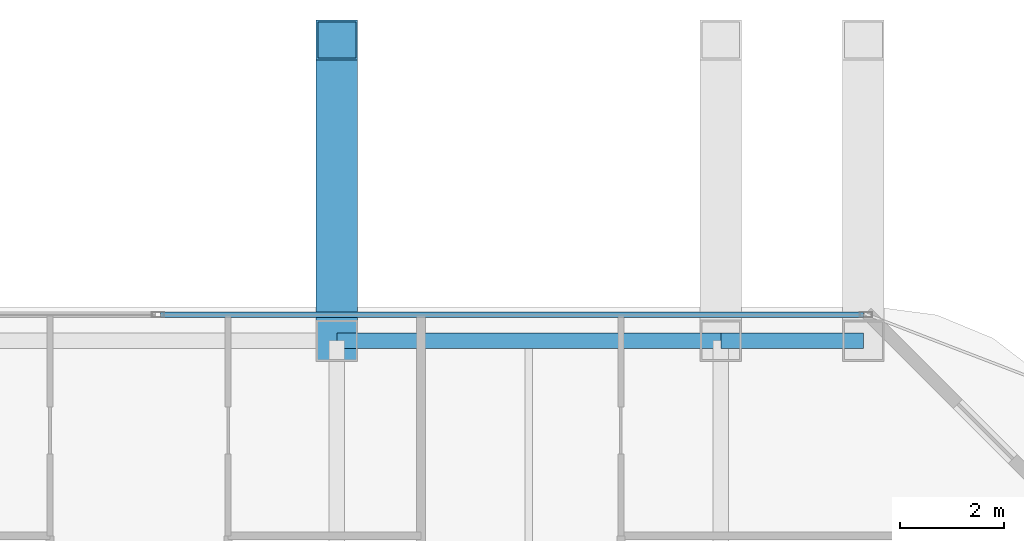
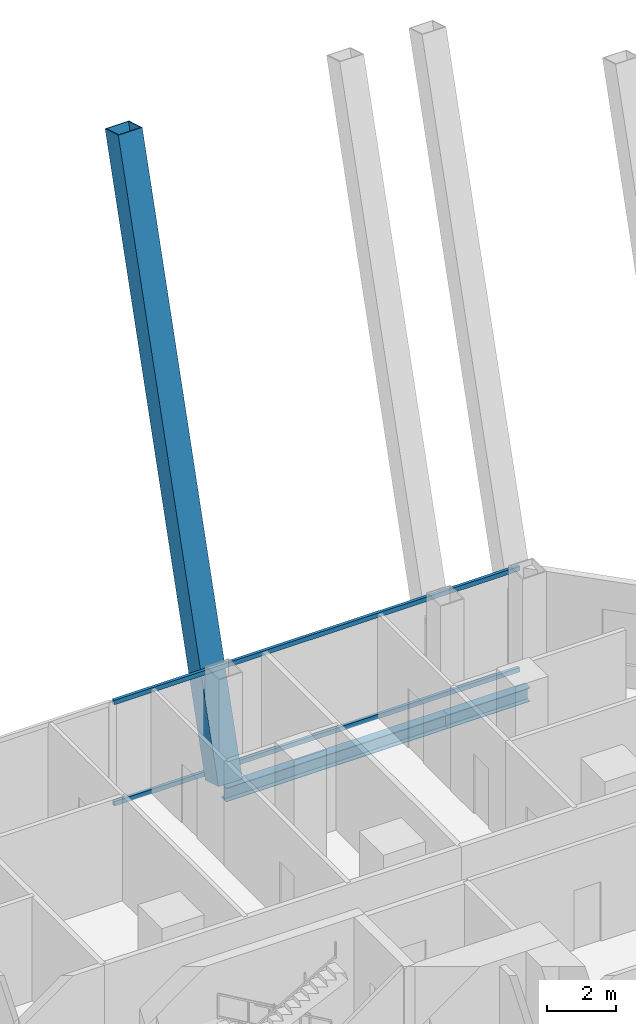
# One storey, part 20 of 33: 3 members, 2 beams, 1 element without a shape of its own.
"""IFC4 building model written with IfcOpenShell, lengths in metres."""

from ifc_helpers import new_model, si_unit, direction, frame, origin, origin_2d, place, context, subcontext, project, spatial, hollow_rectangle, i_section, extrude, material, layer, layer_set, material_profile, profile_set, type_object, element, aggregate, save


model = new_model("IFC4")

# Units and contexts
model_context = context("Model", 3, precision=1e-05, world=origin(), true_north=direction((0.0, 1.0)))
body_context = subcontext(model_context, "Body", "Model", "MODEL_VIEW")
ifc_project = project(units=[si_unit("LENGTHUNIT", "METRE"), si_unit("AREAUNIT", "SQUARE_METRE"), si_unit("VOLUMEUNIT", "CUBIC_METRE"), si_unit("PLANEANGLEUNIT", "RADIAN"), si_unit("MASSUNIT", "GRAM", prefix="KILO")], contexts=[model_context])

# Site, building, storey
site_placement = place(None, origin())
site = spatial("IfcSite", under=ifc_project, at=site_placement, CompositionType="ELEMENT")
building_placement = place(site_placement, origin())
building = spatial("IfcBuilding", under=site, at=building_placement, Name="Khorvyn Point Tower", CompositionType="ELEMENT")
storey_placement = place(building_placement, frame((0.0, 0.0, 65.699951171875)))
storey = spatial("IfcBuildingStorey", under=building, at=storey_placement, Name="L17", CompositionType="ELEMENT", Elevation=65.699951171875)

# Curtain wall, members
ifc_material_1 = material(Name="Anodised aluminium 6063-T6 and laminated Low-E glass", Category="aluminium")
ifc_layer = layer(ifc_material_1, 0.18994140625)
ifc_layer_set = layer_set([ifc_layer], Name="Stick-Built Finned Residential Curtain Wall CW-SYS-02")
curtain_wall_type = type_object("IfcCurtainWallType", Name="Stick-Built Finned Residential Curtain Wall CW-SYS-02", PredefinedType="NOTDEFINED", material=ifc_layer_set)
curtain_wall_placement = place(storey_placement, origin())
curtain_wall = element("IfcCurtainWall", 1, at=curtain_wall_placement, inside=storey, type_object=curtain_wall_type, Name="Curtain Wall", PredefinedType="NOTDEFINED")
ifc_material_2 = material(Name="Anodised aluminium 6063-T6", Category="aluminium")
ifc_material_profile_1 = material_profile(ifc_material_2, hollow_rectangle(XDim=0.10009765625, YDim=0.159912109375, WallThickness=0.00439453125, at=origin_2d()))
ifc_profile_set_1 = profile_set([ifc_material_profile_1], Name="Anodised aluminium 6063-T6 ALU-TRN-100x160")
member_type_1 = type_object("IfcMemberType", Name="Anodised Aluminium 6063-T6 Transom ALU-TRN-100x160", PredefinedType="USERDEFINED", material=ifc_profile_set_1)
member_1_placement = place(storey_placement, frame((4.0, 25.050048828125, 0.050048828125), z_axis=(1.0, 0.0, 0.0), x_axis=(0.0, 1.0, 0.0)))
member_1 = element("IfcMember", 2, at=member_1_placement, type_object=member_type_1, Name="Transom", ObjectType="TRANSOM", PredefinedType="USERDEFINED", context=body_context, shape_type="SweptSolid", body=[
    extrude(hollow_rectangle(XDim=0.10009765625, YDim=0.159912109375, WallThickness=0.00439453125, at=origin_2d()), origin(), (0.0, 0.0, 1.0), 13.550048828125),
])
member_2_placement = place(storey_placement, frame((4.0, 25.050048828125, 3.630126953125), z_axis=(1.0, 0.0, 0.0), x_axis=(0.0, 1.0, 0.0)))
member_2 = element("IfcMember", 3, at=member_2_placement, type_object=member_type_1, Name="Transom", ObjectType="TRANSOM", PredefinedType="USERDEFINED", context=body_context, shape_type="SweptSolid", body=[
    extrude(hollow_rectangle(XDim=0.10009765625, YDim=0.159912109375, WallThickness=0.00439453125, at=origin_2d()), origin(), (0.0, 0.0, 1.0), 13.550048828125),
])
aggregate(curtain_wall, [member_1, member_2])

# Beams
ifc_material_3 = material(Name="Steel S355", Category="steel")
ifc_material_profile_2 = material_profile(ifc_material_3, i_section(OverallWidth=0.300048828125, OverallDepth=0.488037109375, WebThickness=0.010986328125, FlangeThickness=0.01806640625, at=origin_2d()))
ifc_profile_set_2 = profile_set([ifc_material_profile_2], Name="Steel S355 H488x300x11x18")
beam_type = type_object("IfcBeamType", Name="Steel S355 Spandrel H488x300x11x18", PredefinedType="SPANDREL", material=ifc_profile_set_2)
beam_1_placement = place(storey_placement, frame((7.39990234375, 24.550048828125, -0.4638671875), z_axis=(1.0, 0.0, 0.0), x_axis=(0.0, 1.0, 0.0)))
element("IfcBeam", 4, at=beam_1_placement, inside=storey, type_object=beam_type, Name="Beam", PredefinedType="SPANDREL", context=body_context, shape_type="SweptSolid", body=[
    extrude(i_section(OverallWidth=0.300048828125, OverallDepth=0.488037109375, WebThickness=0.010986328125, FlangeThickness=0.01806640625, at=origin_2d()), origin(), (0.0, 0.0, 1.0), 7.400146484375),
])
beam_2_placement = place(storey_placement, frame((14.800048828125, 24.550048828125, -0.4638671875), z_axis=(1.0, 0.0, 0.0), x_axis=(0.0, 1.0, 0.0)))
element("IfcBeam", 5, at=beam_2_placement, inside=storey, type_object=beam_type, Name="Beam", PredefinedType="SPANDREL", context=body_context, shape_type="SweptSolid", body=[
    extrude(i_section(OverallWidth=0.300048828125, OverallDepth=0.488037109375, WebThickness=0.010986328125, FlangeThickness=0.01806640625, at=origin_2d()), origin(), (0.0, 0.0, 1.0), 2.75),
])

# Member
ifc_material_4 = material(Name="Steel S450", Category="steel")
ifc_material_profile_3 = material_profile(ifc_material_4, hollow_rectangle(XDim=0.800048828125, YDim=0.800048828125, WallThickness=0.035888671875, at=origin_2d()))
ifc_profile_set_3 = profile_set([ifc_material_profile_3], Name="Steel S450 BOX800x800x36")
member_type_2 = type_object("IfcMemberType", Name="Steel S450 Exoskeleton Structural Post BOX800x800x36", PredefinedType="POST", material=ifc_profile_set_3)
member_3_placement = place(storey_placement, frame((7.39990234375, 24.550048828125, 0.0), z_axis=(0.0, 0.285094530681, 0.958499404578), x_axis=(-1.0, 0.0, 0.0)))
element("IfcMember", 6, at=member_3_placement, inside=storey, type_object=member_type_2, Name="L17 to L21 Exoskeleton Transfer Post 09", PredefinedType="POST", context=body_context, shape_type="SweptSolid", body=[
    extrude(hollow_rectangle(XDim=0.800048828125, YDim=0.800048828125, WallThickness=0.035888671875, at=origin_2d()), origin(), (0.0, 0.0, 1.0), 20.34423828125),
])

save(model, "model.ifc")
